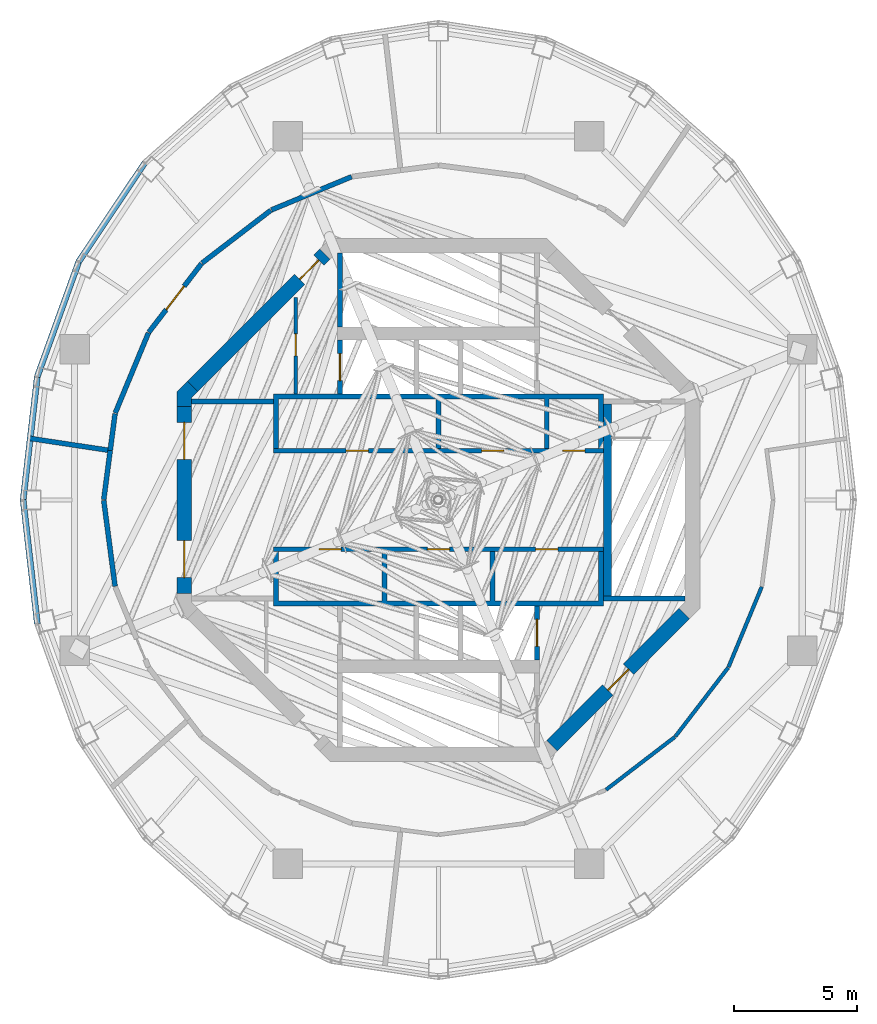
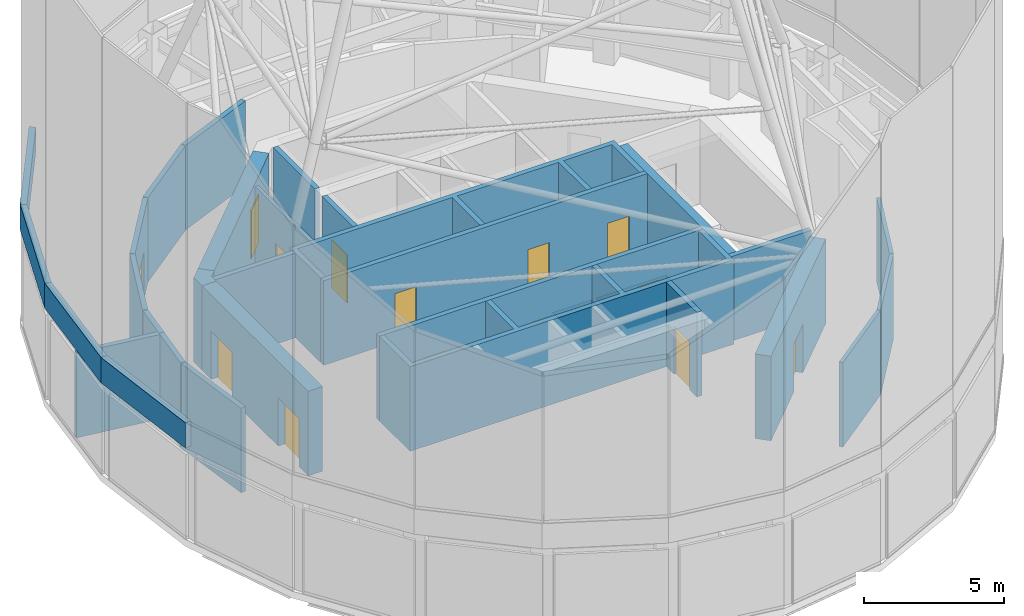
# One storey, part 22 of 25: 30 walls, 14 doors, 14 openings.
"""IFC4 building model written with IfcOpenShell, lengths in metres."""

from ifc_helpers import new_model, si_unit, direction, frame, frame_2d, origin, place, context, subcontext, project, spatial, polyline, rectangle, outline, extrude, material, layer, layer_set, type_object, element, fill, save


model = new_model("IFC4")

# Units and contexts
model_context = context("Model", 3, precision=1e-05, world=origin(), true_north=direction((0.0, 1.0)))
body_context = subcontext(model_context, "Body", "Model", "MODEL_VIEW")
ifc_project = project(units=[si_unit("LENGTHUNIT", "METRE"), si_unit("AREAUNIT", "SQUARE_METRE"), si_unit("VOLUMEUNIT", "CUBIC_METRE"), si_unit("PLANEANGLEUNIT", "RADIAN"), si_unit("MASSUNIT", "GRAM", prefix="KILO")], contexts=[model_context])

# Site, building, storey
site_placement = place(None, origin())
site = spatial("IfcSite", under=ifc_project, at=site_placement, CompositionType="ELEMENT")
building_placement = place(site_placement, origin())
building = spatial("IfcBuilding", under=site, at=building_placement, Name="Nagisa Residences", CompositionType="ELEMENT")
storey_placement = place(building_placement, frame((0.0, 0.0, 340.89990234375)))
storey = spatial("IfcBuildingStorey", under=building, at=storey_placement, Name="L84", CompositionType="ELEMENT", Elevation=340.89990234375)

# Wall, opening, door
ifc_material_1 = material(Name="Gypsum board on steel studs", Category="steel")
ifc_layer_1 = layer(ifc_material_1, 0.14990234375)
ifc_layer_set_1 = layer_set([ifc_layer_1], Name="Core partition 150")
wall_type_1 = type_object("IfcWallType", Name="Core partition 150", PredefinedType="PARTITIONING", material=ifc_layer_set_1)
wall_1_placement = place(storey_placement, frame((-5.800048828125, 4.300048828125, 0.0), z_axis=(0.0, 0.0, 1.0), x_axis=(0.0, 1.0, 0.0)))
wall_1 = element("IfcWall", 1, at=wall_1_placement, inside=storey, type_object=wall_type_1, Name="wall:L84:NWp", PredefinedType="PARTITIONING", context=body_context, shape_type="SweptSolid", body=[
    extrude(rectangle(XDim=3.927001953125, YDim=0.14990234375, at=frame_2d((1.96337890625, 0.0))), origin(), (0.0, 0.0, 1.0), 3.7001953125),
])
opening_1_placement = place(wall_1_placement, frame((1.551025390625, 0.0, 0.0)))
opening_1 = element("IfcOpeningElement", 2, at=opening_1_placement, cuts=wall_1, Name="Opening L84-C07", PredefinedType="OPENING", context=body_context, shape_type="SweptSolid", body=[
    extrude(rectangle(XDim=0.89990234375, YDim=2.10009765625, at=frame_2d((0.449951171875, 1.050048828125))), frame((0.0, 0.0849609375, 0.0), z_axis=(0.0, -1.0, 0.0), x_axis=(1.0, 0.0, 0.0)), (0.0, 0.0, 1.0), 0.169921875),
])
ifc_material_2 = material(Name="Steel fire door", Category="steel")
door_type_1 = type_object("IfcDoorType", Name="Fire door EI30 900x2100 single swing", OperationType="NOTDEFINED", PredefinedType="DOOR", material=ifc_material_2)
door_1_placement = place(opening_1_placement, origin())
door_1 = element("IfcDoor", 3, at=door_1_placement, inside=storey, type_object=door_type_1, Name="Hose reel store door L84", OperationType="SINGLE_SWING_LEFT", OverallHeight=2.10009765625, OverallWidth=0.89990234375, PredefinedType="DOOR", context=body_context, shape_type="SweptSolid", body=[
    extrude(rectangle(XDim=0.89990234375, YDim=2.10009765625, at=frame_2d((0.449951171875, 1.050048828125))), frame((0.0, 0.02490234375, 0.0), z_axis=(0.0, -1.0, 0.0), x_axis=(1.0, 0.0, 0.0)), (0.0, 0.0, 1.0), 0.050048828125),
])
fill(opening_1, door_1)

# Wall
ifc_material_3 = material(Name="Gypsum board on steel studs", Category="steel")
ifc_layer_2 = layer(ifc_material_3, 0.199951171875)
ifc_layer_set_2 = layer_set([ifc_layer_2], Name="Core partition 200")
wall_type_2 = type_object("IfcWallType", Name="Core partition 200", PredefinedType="PARTITIONING", material=ifc_layer_set_2)
wall_2_placement = place(storey_placement, frame((-10.024658203125, 4.0, 0.0), z_axis=(0.0, 0.0, 1.0), x_axis=(1.0, 0.0, 0.0)))
element("IfcWall", 4, at=wall_2_placement, inside=storey, type_object=wall_type_2, Name="wall:L84:PNW", PredefinedType="PARTITIONING", context=body_context, shape_type="SweptSolid", body=[
    extrude(rectangle(XDim=3.32470703125, YDim=0.199951171875, at=frame_2d((1.662353515625, 0.0))), origin(), (0.0, 0.0, 1.0), 3.7001953125),
])

# Wall, opening, door
ifc_material_4 = material(Name="Concrete C60", Category="concrete")
ifc_layer_3 = layer(ifc_material_4, 0.60009765625)
ifc_layer_set_3 = layer_set([ifc_layer_3], Name="Core shear wall 600")
wall_type_3 = type_object("IfcWallType", Name="Core shear wall 600", PredefinedType="SHEAR", material=ifc_layer_set_3)
wall_3_placement = place(storey_placement, frame((-4.613037109375, 9.98828125, 0.0), z_axis=(0.0, 0.0, 1.0), x_axis=(-0.707106781187, -0.707106781187, 0.0)))
wall_3 = element("IfcWall", 5, at=wall_3_placement, inside=storey, type_object=wall_type_3, Name="wall:L84:core:flat3", PredefinedType="SHEAR", context=body_context, shape_type="SweptSolid", body=[
    extrude(rectangle(XDim=7.601806640625, YDim=0.60009765625, at=frame_2d((3.80078125, 0.0))), origin(), (0.0, 0.0, 1.0), 3.7001953125),
])
opening_2_placement = place(wall_3_placement, frame((0.350830078125, 0.0, 0.0)))
opening_2 = element("IfcOpeningElement", 6, at=opening_2_placement, cuts=wall_3, Name="Opening L84-C20", PredefinedType="OPENING", context=body_context, shape_type="SweptSolid", body=[
    extrude(rectangle(XDim=1.10009765625, YDim=2.10009765625, at=frame_2d((0.550048828125, 1.050048828125))), frame((0.0, 0.31005859375, 0.0), z_axis=(0.0, -1.0, 0.0), x_axis=(1.0, 0.0, 0.0)), (0.0, 0.0, 1.0), 0.6201171875),
])
ifc_material_5 = material(Name="Steel fire door", Category="steel")
door_type_2 = type_object("IfcDoorType", Name="Fire door EI60 1100x2100 single swing", OperationType="NOTDEFINED", PredefinedType="DOOR", material=ifc_material_5)
door_2_placement = place(opening_2_placement, origin())
door_2 = element("IfcDoor", 7, at=door_2_placement, inside=storey, type_object=door_type_2, Name="Service lobby door L84", OperationType="SINGLE_SWING_LEFT", OverallHeight=2.10009765625, OverallWidth=1.10009765625, PredefinedType="DOOR", context=body_context, shape_type="SweptSolid", body=[
    extrude(rectangle(XDim=1.10009765625, YDim=2.10009765625, at=frame_2d((0.550048828125, 1.050048828125))), frame((0.0, 0.02490234375, 0.0), z_axis=(0.0, -1.0, 0.0), x_axis=(1.0, 0.0, 0.0)), (0.0, 0.0, 1.0), 0.050048828125),
])
fill(opening_2, door_2)

# Wall, openings, doors
wall_4_placement = place(storey_placement, frame((-10.32470703125, 3.80078125, 0.0), z_axis=(0.0, 0.0, 1.0), x_axis=(0.0, -1.0, 0.0)))
wall_4 = element("IfcWall", 8, at=wall_4_placement, inside=storey, type_object=wall_type_3, Name="wall:L84:core:flat4", PredefinedType="SHEAR", context=body_context, shape_type="SweptSolid", body=[
    extrude(rectangle(XDim=7.6015625, YDim=0.60009765625, at=frame_2d((3.80078125, 0.0))), origin(), (0.0, 0.0, 1.0), 3.7001953125),
])
opening_3_placement = place(wall_4_placement, frame((0.65087890625, 0.0, 0.0)))
opening_3 = element("IfcOpeningElement", 9, at=opening_3_placement, cuts=wall_4, Name="Opening L84-C18", PredefinedType="OPENING", context=body_context, shape_type="SweptSolid", body=[
    extrude(rectangle(XDim=1.5, YDim=2.10009765625, at=frame_2d((0.75, 1.050048828125))), frame((0.0, 0.31005859375, 0.0), z_axis=(0.0, -1.0, 0.0), x_axis=(1.0, 0.0, 0.0)), (0.0, 0.0, 1.0), 0.6201171875),
])
opening_4_placement = place(wall_4_placement, frame((5.450927734375, 0.0, 0.0)))
opening_4 = element("IfcOpeningElement", 10, at=opening_4_placement, cuts=wall_4, Name="Opening L84-C19", PredefinedType="OPENING", context=body_context, shape_type="SweptSolid", body=[
    extrude(rectangle(XDim=1.5, YDim=2.10009765625, at=frame_2d((0.75, 1.050048828125))), frame((0.0, 0.31005859375, 0.0), z_axis=(0.0, -1.0, 0.0), x_axis=(1.0, 0.0, 0.0)), (0.0, 0.0, 1.0), 0.6201171875),
])
ifc_material_6 = material(Name="Steel fire door", Category="steel")
door_type_3 = type_object("IfcDoorType", Name="Fire door EI60 1500x2100 double door single swing", OperationType="DOUBLE_DOOR_SINGLE_SWING", PredefinedType="DOOR", material=ifc_material_6)
door_3_placement = place(opening_3_placement, origin())
door_3 = element("IfcDoor", 11, at=door_3_placement, inside=storey, type_object=door_type_3, Name="Lift lobby door L84 1", OperationType="DOUBLE_DOOR_SINGLE_SWING", OverallHeight=2.10009765625, OverallWidth=1.5, PredefinedType="DOOR", context=body_context, shape_type="SweptSolid", body=[
    extrude(rectangle(XDim=1.5, YDim=2.10009765625, at=frame_2d((0.75, 1.050048828125))), frame((0.0, 0.02490234375, 0.0), z_axis=(0.0, -1.0, 0.0), x_axis=(1.0, 0.0, 0.0)), (0.0, 0.0, 1.0), 0.050048828125),
])
fill(opening_3, door_3)
door_4_placement = place(opening_4_placement, origin())
door_4 = element("IfcDoor", 12, at=door_4_placement, inside=storey, type_object=door_type_3, Name="Lift lobby door L84 2", OperationType="DOUBLE_DOOR_SINGLE_SWING", OverallHeight=2.10009765625, OverallWidth=1.5, PredefinedType="DOOR", context=body_context, shape_type="SweptSolid", body=[
    extrude(rectangle(XDim=1.5, YDim=2.10009765625, at=frame_2d((0.75, 1.050048828125))), frame((0.0, 0.02490234375, 0.0), z_axis=(0.0, -1.0, 0.0), x_axis=(1.0, 0.0, 0.0)), (0.0, 0.0, 1.0), 0.050048828125),
])
fill(opening_4, door_4)

# Wall, opening, door
wall_5_placement = place(storey_placement, frame((4.613037109375, -9.98828125, 0.0), z_axis=(0.0, 0.0, 1.0), x_axis=(0.707106781187, 0.707106781187, 0.0)))
wall_5 = element("IfcWall", 13, at=wall_5_placement, inside=storey, type_object=wall_type_3, Name="wall:L84:core:flat7", PredefinedType="SHEAR", context=body_context, shape_type="SweptSolid", body=[
    extrude(rectangle(XDim=7.601806640625, YDim=0.60009765625, at=frame_2d((3.80078125, 0.0))), origin(), (0.0, 0.0, 1.0), 3.7001953125),
])
opening_5_placement = place(wall_5_placement, frame((3.200927734375, 0.0, 0.0)))
opening_5 = element("IfcOpeningElement", 14, at=opening_5_placement, cuts=wall_5, Name="Opening L84-C17", PredefinedType="OPENING", context=body_context, shape_type="SweptSolid", body=[
    extrude(rectangle(XDim=1.199951171875, YDim=2.10009765625, at=frame_2d((0.60009765625, 1.050048828125))), frame((0.0, 0.31005859375, 0.0), z_axis=(0.0, -1.0, 0.0), x_axis=(1.0, 0.0, 0.0)), (0.0, 0.0, 1.0), 0.6201171875),
])
ifc_material_7 = material(Name="Steel fire door", Category="steel")
door_type_4 = type_object("IfcDoorType", Name="Fire door EI60 1200x2100 single swing", OperationType="NOTDEFINED", PredefinedType="DOOR", material=ifc_material_7)
door_5_placement = place(opening_5_placement, origin())
door_5 = element("IfcDoor", 15, at=door_5_placement, inside=storey, type_object=door_type_4, Name="Firefighting lobby 2 door L84", OperationType="SINGLE_SWING_LEFT", OverallHeight=2.10009765625, OverallWidth=1.199951171875, PredefinedType="DOOR", context=body_context, shape_type="SweptSolid", body=[
    extrude(rectangle(XDim=1.199951171875, YDim=2.10009765625, at=frame_2d((0.60009765625, 1.050048828125))), frame((0.0, 0.02490234375, 0.0), z_axis=(0.0, -1.0, 0.0), x_axis=(1.0, 0.0, 0.0)), (0.0, 0.0, 1.0), 0.050048828125),
])
fill(opening_5, door_5)

# Wall
wall_6_placement = place(storey_placement, origin())
element("IfcWall", 16, at=wall_6_placement, inside=storey, type_object=wall_type_3, Name="wall:L84:core:pier3", PredefinedType="SHEAR", context=body_context, shape_type="SweptSolid", body=[
    extrude(outline(polyline([(-10.200439453125, 4.8251953125), (-9.776123046875, 4.40087890625), (-10.024658203125, 4.15234375), (-10.024658203125, 3.80078125), (-10.62451171875, 3.80078125), (-10.62451171875, 4.40087890625), (-10.200439453125, 4.8251953125)])), origin(), (0.0, 0.0, 1.0), 3.7001953125),
])

# Wall, opening, door
ifc_material_8 = material(Name="Concrete C60", Category="concrete")
ifc_layer_4 = layer(ifc_material_8, 0.199951171875)
ifc_layer_set_4 = layer_set([ifc_layer_4], Name="Lift shaft wall 200")
wall_type_4 = type_object("IfcWallType", Name="Lift shaft wall 200", PredefinedType="SOLIDWALL", material=ifc_layer_set_4)
wall_7_placement = place(storey_placement, frame((-4.0, 4.300048828125, 0.0), z_axis=(0.0, 0.0, 1.0), x_axis=(0.0, 1.0, 0.0)))
wall_7 = element("IfcWall", 17, at=wall_7_placement, inside=storey, type_object=wall_type_4, Name="wall:L84:Nb4", PredefinedType="SOLIDWALL", context=body_context, shape_type="SweptSolid", body=[
    extrude(rectangle(XDim=2.199951171875, YDim=0.199951171875, at=frame_2d((1.10009765625, 0.0))), origin(), (0.0, 0.0, 1.0), 3.7001953125),
])
opening_6_placement = place(wall_7_placement, frame((0.550048828125, 0.0, 0.0)))
opening_6 = element("IfcOpeningElement", 18, at=opening_6_placement, cuts=wall_7, Name="Opening L84-C03", PredefinedType="OPENING", context=body_context, shape_type="SweptSolid", body=[
    extrude(rectangle(XDim=1.10009765625, YDim=2.10009765625, at=frame_2d((0.550048828125, 1.050048828125))), frame((0.0, 0.10986328125, 0.0), z_axis=(0.0, -1.0, 0.0), x_axis=(1.0, 0.0, 0.0)), (0.0, 0.0, 1.0), 0.219970703125),
])
ifc_material_9 = material(Name="Stainless steel", Category="steel")
door_type_5 = type_object("IfcDoorType", Name="Lift landing door 1100x2100", OperationType="DOUBLE_DOOR_SLIDING", PredefinedType="DOOR", material=ifc_material_9)
door_6_placement = place(opening_6_placement, origin())
door_6 = element("IfcDoor", 19, at=door_6_placement, inside=storey, type_object=door_type_5, Name="Landing door SV L84", OperationType="DOUBLE_DOOR_SLIDING", OverallHeight=2.10009765625, OverallWidth=1.10009765625, PredefinedType="DOOR", context=body_context, shape_type="SweptSolid", body=[
    extrude(rectangle(XDim=1.10009765625, YDim=2.10009765625, at=frame_2d((0.550048828125, 1.050048828125))), frame((0.0, 0.02490234375, 0.0), z_axis=(0.0, -1.0, 0.0), x_axis=(1.0, 0.0, 0.0)), (0.0, 0.0, 1.0), 0.050048828125),
])
fill(opening_6, door_6)

# Wall, openings, doors
wall_8_placement = place(storey_placement, frame((-6.699951171875, 2.0, 0.0), z_axis=(0.0, 0.0, 1.0), x_axis=(1.0, 0.0, 0.0)))
wall_8 = element("IfcWall", 20, at=wall_8_placement, inside=storey, type_object=wall_type_4, Name="wall:L84:Nfront", PredefinedType="SOLIDWALL", context=body_context, shape_type="SweptSolid", body=[
    extrude(rectangle(XDim=13.39990234375, YDim=0.199951171875, at=frame_2d((6.699951171875, 0.0))), origin(), (0.0, 0.0, 1.0), 3.7001953125),
])
opening_7_placement = place(wall_8_placement, frame((2.949951171875, 0.0, 0.0)))
opening_7 = element("IfcOpeningElement", 21, at=opening_7_placement, cuts=wall_8, Name="Opening L84-C10", PredefinedType="OPENING", context=body_context, shape_type="SweptSolid", body=[
    extrude(rectangle(XDim=0.89990234375, YDim=2.10009765625, at=frame_2d((0.449951171875, 1.050048828125))), frame((0.0, 0.10986328125, 0.0), z_axis=(0.0, -1.0, 0.0), x_axis=(1.0, 0.0, 0.0)), (0.0, 0.0, 1.0), 0.219970703125),
])
opening_8_placement = place(wall_8_placement, frame((8.449951171875, 0.0, 0.0)))
opening_8 = element("IfcOpeningElement", 22, at=opening_8_placement, cuts=wall_8, Name="Opening L84-C11", PredefinedType="OPENING", context=body_context, shape_type="SweptSolid", body=[
    extrude(rectangle(XDim=0.89990234375, YDim=2.10009765625, at=frame_2d((0.449951171875, 1.050048828125))), frame((0.0, 0.10986328125, 0.0), z_axis=(0.0, -1.0, 0.0), x_axis=(1.0, 0.0, 0.0)), (0.0, 0.0, 1.0), 0.219970703125),
])
opening_9_placement = place(wall_8_placement, frame((11.75, 0.0, 0.0)))
opening_9 = element("IfcOpeningElement", 23, at=opening_9_placement, cuts=wall_8, Name="Opening L84-C12", PredefinedType="OPENING", context=body_context, shape_type="SweptSolid", body=[
    extrude(rectangle(XDim=0.89990234375, YDim=2.10009765625, at=frame_2d((0.449951171875, 1.050048828125))), frame((0.0, 0.10986328125, 0.0), z_axis=(0.0, -1.0, 0.0), x_axis=(1.0, 0.0, 0.0)), (0.0, 0.0, 1.0), 0.219970703125),
])
door_7_placement = place(opening_7_placement, origin())
door_7 = element("IfcDoor", 24, at=door_7_placement, inside=storey, type_object=door_type_1, Name="Pump store door L84", OperationType="SINGLE_SWING_RIGHT", OverallHeight=2.10009765625, OverallWidth=0.89990234375, PredefinedType="DOOR", context=body_context, shape_type="SweptSolid", body=[
    extrude(rectangle(XDim=0.89990234375, YDim=2.10009765625, at=frame_2d((0.449951171875, 1.050048828125))), frame((0.0, 0.02490234375, 0.0), z_axis=(0.0, -1.0, 0.0), x_axis=(1.0, 0.0, 0.0)), (0.0, 0.0, 1.0), 0.050048828125),
])
fill(opening_7, door_7)
door_8_placement = place(opening_8_placement, origin())
door_8 = element("IfcDoor", 25, at=door_8_placement, inside=storey, type_object=door_type_1, Name="Battery room door L84", OperationType="SINGLE_SWING_RIGHT", OverallHeight=2.10009765625, OverallWidth=0.89990234375, PredefinedType="DOOR", context=body_context, shape_type="SweptSolid", body=[
    extrude(rectangle(XDim=0.89990234375, YDim=2.10009765625, at=frame_2d((0.449951171875, 1.050048828125))), frame((0.0, 0.02490234375, 0.0), z_axis=(0.0, -1.0, 0.0), x_axis=(1.0, 0.0, 0.0)), (0.0, 0.0, 1.0), 0.050048828125),
])
fill(opening_8, door_8)
door_9_placement = place(opening_9_placement, origin())
door_9 = element("IfcDoor", 26, at=door_9_placement, inside=storey, type_object=door_type_1, Name="Pump store door L84", OperationType="SINGLE_SWING_LEFT", OverallHeight=2.10009765625, OverallWidth=0.89990234375, PredefinedType="DOOR", context=body_context, shape_type="SweptSolid", body=[
    extrude(rectangle(XDim=0.89990234375, YDim=2.10009765625, at=frame_2d((0.449951171875, 1.050048828125))), frame((0.0, 0.02490234375, 0.0), z_axis=(0.0, -1.0, 0.0), x_axis=(1.0, 0.0, 0.0)), (0.0, 0.0, 1.0), 0.050048828125),
])
fill(opening_9, door_9)

# Wall, opening, door
wall_9_placement = place(storey_placement, frame((4.0, -6.5, 0.0), z_axis=(0.0, 0.0, 1.0), x_axis=(0.0, 1.0, 0.0)))
wall_9 = element("IfcWall", 27, at=wall_9_placement, inside=storey, type_object=wall_type_4, Name="wall:L84:Sb3", PredefinedType="SOLIDWALL", context=body_context, shape_type="SweptSolid", body=[
    extrude(rectangle(XDim=2.199951171875, YDim=0.199951171875, at=frame_2d((1.10009765625, 0.0))), origin(), (0.0, 0.0, 1.0), 3.7001953125),
])
opening_10_placement = place(wall_9_placement, frame((0.550048828125, 0.0, 0.0)))
opening_10 = element("IfcOpeningElement", 28, at=opening_10_placement, cuts=wall_9, Name="Opening L84-C02", PredefinedType="OPENING", context=body_context, shape_type="SweptSolid", body=[
    extrude(rectangle(XDim=1.10009765625, YDim=2.10009765625, at=frame_2d((0.550048828125, 1.050048828125))), frame((0.0, 0.10986328125, 0.0), z_axis=(0.0, -1.0, 0.0), x_axis=(1.0, 0.0, 0.0)), (0.0, 0.0, 1.0), 0.219970703125),
])
door_10_placement = place(opening_10_placement, origin())
door_10 = element("IfcDoor", 29, at=door_10_placement, inside=storey, type_object=door_type_5, Name="Landing door FL2 L84", OperationType="DOUBLE_DOOR_SLIDING", OverallHeight=2.10009765625, OverallWidth=1.10009765625, PredefinedType="DOOR", context=body_context, shape_type="SweptSolid", body=[
    extrude(rectangle(XDim=1.10009765625, YDim=2.10009765625, at=frame_2d((0.550048828125, 1.050048828125))), frame((0.0, 0.02490234375, 0.0), z_axis=(0.0, -1.0, 0.0), x_axis=(1.0, 0.0, 0.0)), (0.0, 0.0, 1.0), 0.050048828125),
])
fill(opening_10, door_10)

# Wall, openings, doors
wall_10_placement = place(storey_placement, frame((-6.699951171875, -2.0, 0.0), z_axis=(0.0, 0.0, 1.0), x_axis=(1.0, 0.0, 0.0)))
wall_10 = element("IfcWall", 30, at=wall_10_placement, inside=storey, type_object=wall_type_4, Name="wall:L84:Sfront", PredefinedType="SOLIDWALL", context=body_context, shape_type="SweptSolid", body=[
    extrude(rectangle(XDim=13.39990234375, YDim=0.199951171875, at=frame_2d((6.699951171875, 0.0))), origin(), (0.0, 0.0, 1.0), 3.7001953125),
])
opening_11_placement = place(wall_10_placement, frame((1.85009765625, 0.0, 0.0)))
opening_11 = element("IfcOpeningElement", 31, at=opening_11_placement, cuts=wall_10, Name="Opening L84-C13", PredefinedType="OPENING", context=body_context, shape_type="SweptSolid", body=[
    extrude(rectangle(XDim=0.89990234375, YDim=2.10009765625, at=frame_2d((0.449951171875, 1.050048828125))), frame((0.0, 0.10986328125, 0.0), z_axis=(0.0, -1.0, 0.0), x_axis=(1.0, 0.0, 0.0)), (0.0, 0.0, 1.0), 0.219970703125),
])
opening_12_placement = place(wall_10_placement, frame((6.25, 0.0, 0.0)))
opening_12 = element("IfcOpeningElement", 32, at=opening_12_placement, cuts=wall_10, Name="Opening L84-C14", PredefinedType="OPENING", context=body_context, shape_type="SweptSolid", body=[
    extrude(rectangle(XDim=0.89990234375, YDim=2.10009765625, at=frame_2d((0.449951171875, 1.050048828125))), frame((0.0, 0.10986328125, 0.0), z_axis=(0.0, -1.0, 0.0), x_axis=(1.0, 0.0, 0.0)), (0.0, 0.0, 1.0), 0.219970703125),
])
opening_13_placement = place(wall_10_placement, frame((10.64990234375, 0.0, 0.0)))
opening_13 = element("IfcOpeningElement", 33, at=opening_13_placement, cuts=wall_10, Name="Opening L84-C15", PredefinedType="OPENING", context=body_context, shape_type="SweptSolid", body=[
    extrude(rectangle(XDim=0.89990234375, YDim=2.10009765625, at=frame_2d((0.449951171875, 1.050048828125))), frame((0.0, 0.10986328125, 0.0), z_axis=(0.0, -1.0, 0.0), x_axis=(1.0, 0.0, 0.0)), (0.0, 0.0, 1.0), 0.219970703125),
])
door_11_placement = place(opening_11_placement, frame((0.89990234375, 0.0, 0.0), x_axis=(-1.0, 0.0, 0.0)))
door_11 = element("IfcDoor", 34, at=door_11_placement, inside=storey, type_object=door_type_1, Name="Battery room door L84", OperationType="SINGLE_SWING_LEFT", OverallHeight=2.10009765625, OverallWidth=0.89990234375, PredefinedType="DOOR", context=body_context, shape_type="SweptSolid", body=[
    extrude(rectangle(XDim=0.89990234375, YDim=2.10009765625, at=frame_2d((0.449951171875, 1.050048828125))), frame((0.0, 0.02490234375, 0.0), z_axis=(0.0, -1.0, 0.0), x_axis=(1.0, 0.0, 0.0)), (0.0, 0.0, 1.0), 0.050048828125),
])
fill(opening_11, door_11)
door_12_placement = place(opening_12_placement, frame((0.89990234375, 0.0, 0.0), x_axis=(-1.0, 0.0, 0.0)))
door_12 = element("IfcDoor", 35, at=door_12_placement, inside=storey, type_object=door_type_1, Name="Pump store door L84", OperationType="SINGLE_SWING_LEFT", OverallHeight=2.10009765625, OverallWidth=0.89990234375, PredefinedType="DOOR", context=body_context, shape_type="SweptSolid", body=[
    extrude(rectangle(XDim=0.89990234375, YDim=2.10009765625, at=frame_2d((0.449951171875, 1.050048828125))), frame((0.0, 0.02490234375, 0.0), z_axis=(0.0, -1.0, 0.0), x_axis=(1.0, 0.0, 0.0)), (0.0, 0.0, 1.0), 0.050048828125),
])
fill(opening_12, door_12)
door_13_placement = place(opening_13_placement, frame((0.89990234375, 0.0, 0.0), x_axis=(-1.0, 0.0, 0.0)))
door_13 = element("IfcDoor", 36, at=door_13_placement, inside=storey, type_object=door_type_1, Name="Battery room door L84", OperationType="SINGLE_SWING_RIGHT", OverallHeight=2.10009765625, OverallWidth=0.89990234375, PredefinedType="DOOR", context=body_context, shape_type="SweptSolid", body=[
    extrude(rectangle(XDim=0.89990234375, YDim=2.10009765625, at=frame_2d((0.449951171875, 1.050048828125))), frame((0.0, 0.02490234375, 0.0), z_axis=(0.0, -1.0, 0.0), x_axis=(1.0, 0.0, 0.0)), (0.0, 0.0, 1.0), 0.050048828125),
])
fill(opening_13, door_13)

# Walls
wall_11_placement = place(storey_placement, origin())
element("IfcWall", 37, at=wall_11_placement, inside=storey, type_object=wall_type_4, Name="wall:L84:Sback", PredefinedType="SOLIDWALL", context=body_context, shape_type="SweptSolid", body=[
    extrude(outline(polyline([(-6.699951171875, -2.10009765625), (-6.5, -2.10009765625), (-6.5, -4.10009765625), (-2.300048828125, -4.10009765625), (-2.300048828125, -2.10009765625), (-2.10009765625, -2.10009765625), (-2.10009765625, -4.10009765625), (2.10009765625, -4.10009765625), (2.10009765625, -2.10009765625), (2.300048828125, -2.10009765625), (2.300048828125, -4.10009765625), (6.5, -4.10009765625), (6.5, -2.10009765625), (6.699951171875, -2.10009765625), (6.699951171875, -4.300048828125), (-6.699951171875, -4.300048828125), (-6.699951171875, -2.10009765625)])), origin(), (0.0, 0.0, 1.0), 3.7001953125),
])
wall_12_placement = place(storey_placement, origin())
element("IfcWall", 38, at=wall_12_placement, inside=storey, type_object=wall_type_4, Name="wall:L84:Nback", PredefinedType="SOLIDWALL", context=body_context, shape_type="SweptSolid", body=[
    extrude(outline(polyline([(-6.699951171875, 4.300048828125), (6.699951171875, 4.300048828125), (6.699951171875, 2.10009765625), (6.5, 2.10009765625), (6.5, 4.10009765625), (4.5, 4.10009765625), (4.5, 2.10009765625), (4.300048828125, 2.10009765625), (4.300048828125, 4.10009765625), (0.10009765625, 4.10009765625), (0.10009765625, 2.10009765625), (-0.10009765625, 2.10009765625), (-0.10009765625, 4.10009765625), (-6.5, 4.10009765625), (-6.5, 2.10009765625), (-6.699951171875, 2.10009765625), (-6.699951171875, 4.300048828125)])), origin(), (0.0, 0.0, 1.0), 3.7001953125),
])
ifc_material_10 = material(Name="Precast concrete C40/50", Category="concrete")
ifc_layer_5 = layer(ifc_material_10, 0.25)
ifc_layer_set_5 = layer_set([ifc_layer_5], Name="PARAPET 250")
wall_type_5 = type_object("IfcWallType", Name="PARAPET 250", PredefinedType="PARAPET", material=ifc_layer_set_5)
wall_13_placement = place(storey_placement, frame((-11.9169921875, 13.718994140625, 4.0), z_axis=(0.0, 0.0, 1.0), x_axis=(-0.55602135043, -0.831168008207, 0.0)))
element("IfcWall", 39, at=wall_13_placement, inside=storey, type_object=wall_type_5, Name="parapet:L84:09", PredefinedType="PARAPET", context=body_context, shape_type="SweptSolid", body=[
    extrude(rectangle(XDim=4.85888671875, YDim=0.25, at=frame_2d((2.429443359375, 0.0))), origin(), (0.0, 0.0, 1.0), 1.10009765625),
])
wall_14_placement = place(storey_placement, frame((-14.60498046875, 9.70751953125, 4.0), z_axis=(0.0, 0.0, 1.0), x_axis=(-0.339625267064, -0.940560831617, 0.0)))
element("IfcWall", 40, at=wall_14_placement, inside=storey, type_object=wall_type_5, Name="parapet:L84:10", PredefinedType="PARAPET", context=body_context, shape_type="SweptSolid", body=[
    extrude(rectangle(XDim=5.000244140625, YDim=0.25, at=frame_2d((2.5, 0.0))), origin(), (0.0, 0.0, 1.0), 1.10009765625),
])
for number, where, z_axis, x_axis, name in (
    (41, (-16.296630859375, 5.03271484375, 4.0), (0.0, 0.0, 1.0), (-0.113996578441, -0.993481142299, 0.0), "parapet:L84:11"),
    (42, (-16.875732421875, 0.01416015625, 4.0), (0.0, 0.0, 1.0), (0.113996578441, -0.993481142299, 0.0), "parapet:L84:12"),
):
    element("IfcWall", number, at=place(storey_placement, frame(where, z_axis=z_axis, x_axis=x_axis)), inside=storey, type_object=wall_type_5, Name=name, PredefinedType="PARAPET", context=body_context, shape_type="SweptSolid", body=[
        extrude(rectangle(XDim=5.080078125, YDim=0.25, at=frame_2d((2.5400390625, 0.0))), origin(), (0.0, 0.0, 1.0), 1.10009765625),
    ])
ifc_material_11 = material(Name="Gypsum board on steel studs", Category="steel")
ifc_layer_6 = layer(ifc_material_11, 0.199951171875)
ifc_layer_set_6 = layer_set([ifc_layer_6], Name="Plant room wall EI120 200")
wall_type_6 = type_object("IfcWallType", Name="Plant room wall EI120 200", PredefinedType="PARTITIONING", material=ifc_layer_set_6)
wall_15_placement = place(storey_placement, frame((-13.597900390625, 0.01513671875, 0.0), z_axis=(0.0, 0.0, 1.0), x_axis=(0.130526685544, 0.991444796426, 0.0)))
element("IfcWall", 43, at=wall_15_placement, inside=storey, type_object=wall_type_6, Name="wall:L84:am009", PredefinedType="PARTITIONING", context=body_context, shape_type="SweptSolid", body=[
    extrude(rectangle(XDim=2.0126953125, YDim=0.199951171875, at=frame_2d((1.00634765625, 0.0))), origin(), (0.0, 0.0, 1.0), 3.7001953125),
])
wall_16_placement = place(storey_placement, frame((-13.43408203125, 2.025390625, 0.0), z_axis=(0.0, 0.0, 1.0), x_axis=(-0.988817905908, 0.149127961685, 0.0)))
element("IfcWall", 44, at=wall_16_placement, inside=storey, type_object=wall_type_6, Name="wall:L84:am010", PredefinedType="PARTITIONING", context=body_context, shape_type="SweptSolid", body=[
    extrude(rectangle(XDim=3.213623046875, YDim=0.199951171875, at=frame_2d((1.60693359375, 0.0))), origin(), (0.0, 0.0, 1.0), 3.7001953125),
])
wall_17_placement = place(storey_placement, frame((-13.335205078125, 2.010498046875, 0.0), z_axis=(0.0, 0.0, 1.0), x_axis=(0.130391662061, 0.99146256332, 0.0)))
element("IfcWall", 45, at=wall_17_placement, inside=storey, type_object=wall_type_6, Name="wall:L84:am011", PredefinedType="PARTITIONING", context=body_context, shape_type="SweptSolid", body=[
    extrude(rectangle(XDim=1.50732421875, YDim=0.199951171875, at=frame_2d((0.753662109375, 0.0))), origin(), (0.0, 0.0, 1.0), 3.7001953125),
])
wall_18_placement = place(storey_placement, frame((-13.138671875, -3.5048828125, 0.0), z_axis=(0.0, 0.0, 1.0), x_axis=(-0.130468866457, 0.991452406768, 0.0)))
element("IfcWall", 46, at=wall_18_placement, inside=storey, type_object=wall_type_6, Name="wall:L84:am012", PredefinedType="PARTITIONING", context=body_context, shape_type="SweptSolid", body=[
    extrude(rectangle(XDim=3.519775390625, YDim=0.199951171875, at=frame_2d((1.759765625, 0.0))), origin(), (0.0, 0.0, 1.0), 3.7001953125),
])
wall_19_placement = place(storey_placement, frame((-13.130859375, 3.533935546875, 0.0), z_axis=(0.0, 0.0, 1.0), x_axis=(0.382723413813, 0.92386297064, 0.0)))
element("IfcWall", 47, at=wall_19_placement, inside=storey, type_object=wall_type_6, Name="wall:L84:am013", PredefinedType="PARTITIONING", context=body_context, shape_type="SweptSolid", body=[
    extrude(rectangle(XDim=3.52001953125, YDim=0.199951171875, at=frame_2d((1.760009765625, 0.0))), origin(), (0.0, 0.0, 1.0), 3.7001953125),
])

# Wall, opening, door
wall_20_placement = place(storey_placement, frame((-11.7685546875, 6.81201171875, 0.0), z_axis=(0.0, 0.0, 1.0), x_axis=(0.608697977542, 0.793402024283, 0.0)))
wall_20 = element("IfcWall", 48, at=wall_20_placement, inside=storey, type_object=wall_type_6, Name="wall:L84:am015", PredefinedType="PARTITIONING", context=body_context, shape_type="SweptSolid", body=[
    extrude(rectangle(XDim=3.52001953125, YDim=0.199951171875, at=frame_2d((1.760009765625, 0.0))), origin(), (0.0, 0.0, 1.0), 3.7001953125),
])
opening_14_placement = place(wall_20_placement, frame((1.159912109375, 0.0, 0.0)))
opening_14 = element("IfcOpeningElement", 49, at=opening_14_placement, cuts=wall_20, Name="Opening L84-A02", PredefinedType="OPENING", context=body_context, shape_type="SweptSolid", body=[
    extrude(rectangle(XDim=1.199951171875, YDim=2.10009765625, at=frame_2d((0.60009765625, 1.050048828125))), frame((0.0, 0.10986328125, 0.0), z_axis=(0.0, -1.0, 0.0), x_axis=(1.0, 0.0, 0.0)), (0.0, 0.0, 1.0), 0.219970703125),
])
ifc_material_12 = material(Name="Steel fire door", Category="steel")
door_type_6 = type_object("IfcDoorType", Name="Fire door EI120 1200x2100 single swing", OperationType="NOTDEFINED", PredefinedType="DOOR", material=ifc_material_12)
door_14_placement = place(opening_14_placement, frame((1.199951171875, 0.0, 0.0), x_axis=(-1.0, 0.0, 0.0)))
door_14 = element("IfcDoor", 50, at=door_14_placement, inside=storey, type_object=door_type_6, Name="Mast base plant room door", OperationType="SINGLE_SWING_LEFT", OverallHeight=2.10009765625, OverallWidth=1.199951171875, PredefinedType="DOOR", context=body_context, shape_type="SweptSolid", body=[
    extrude(rectangle(XDim=1.199951171875, YDim=2.10009765625, at=frame_2d((0.60009765625, 1.050048828125))), frame((0.0, 0.02490234375, 0.0), z_axis=(0.0, -1.0, 0.0), x_axis=(1.0, 0.0, 0.0)), (0.0, 0.0, 1.0), 0.050048828125),
])
fill(opening_14, door_14)

# Walls
for number, where, z_axis, x_axis, name in (
    (51, (-9.604736328125, 9.6259765625, 0.0), (0.0, 0.0, 1.0), (0.793402024283, 0.608697977542, 0.0), "wall:L84:am019"),
    (52, (-6.785888671875, 11.78369140625, 0.0), (0.0, 0.0, 1.0), (0.92386297064, 0.382723413813, 0.0), "wall:L84:am021"),
):
    element("IfcWall", number, at=place(storey_placement, frame(where, z_axis=z_axis, x_axis=x_axis)), inside=storey, type_object=wall_type_6, Name=name, PredefinedType="PARTITIONING", context=body_context, shape_type="SweptSolid", body=[
        extrude(rectangle(XDim=3.52001953125, YDim=0.199951171875, at=frame_2d((1.760009765625, 0.0))), origin(), (0.0, 0.0, 1.0), 3.7001953125),
    ])
ifc_material_13 = material(Name="Gypsum board on steel studs", Category="steel")
ifc_layer_7 = layer(ifc_material_13, 0.14990234375)
ifc_layer_set_7 = layer_set([ifc_layer_7], Name="Room partition EI60 150")
wall_type_7 = type_object("IfcWallType", Name="Room partition EI60 150", PredefinedType="PARTITIONING", material=ifc_layer_set_7)
for number, where, z_axis, x_axis, name in (
    (53, (9.607177734375, -9.6240234375, 0.0), (0.0, 0.0, 1.0), (-0.793372307201, -0.608736710054, 0.0), "wall:L84:am003"),
    (54, (11.770751953125, -6.809326171875, 0.0), (0.0, 0.0, 1.0), (-0.608736710054, -0.793372307201, 0.0), "wall:L84:am004"),
):
    element("IfcWall", number, at=place(storey_placement, frame(where, z_axis=z_axis, x_axis=x_axis)), inside=storey, type_object=wall_type_7, Name=name, PredefinedType="PARTITIONING", context=body_context, shape_type="SweptSolid", body=[
        extrude(rectangle(XDim=3.526611328125, YDim=0.14990234375, at=frame_2d((1.76318359375, 0.0))), origin(), (0.0, 0.0, 1.0), 3.7001953125),
    ])
wall_21_placement = place(storey_placement, frame((13.132080078125, -3.53076171875, 0.0), z_axis=(0.0, 0.0, 1.0), x_axis=(-0.382677866108, -0.923881838111, 0.0)))
element("IfcWall", 55, at=wall_21_placement, inside=storey, type_object=wall_type_7, Name="wall:L84:am005", PredefinedType="PARTITIONING", context=body_context, shape_type="SweptSolid", body=[
    extrude(rectangle(XDim=3.52685546875, YDim=0.14990234375, at=frame_2d((1.763427734375, 0.0))), origin(), (0.0, 0.0, 1.0), 3.7001953125),
])
ifc_material_14 = material(Name="Concrete C60", Category="concrete")
ifc_layer_8 = layer(ifc_material_14, 0.199951171875)
ifc_layer_set_8 = layer_set([ifc_layer_8], Name="Stair enclosure wall 200")
wall_type_8 = type_object("IfcWallType", Name="Stair enclosure wall 200", PredefinedType="SOLIDWALL", material=ifc_layer_set_8)
wall_22_placement = place(storey_placement, origin())
element("IfcWall", 56, at=wall_22_placement, inside=storey, type_object=wall_type_8, Name="wall:L84:SN_w", PredefinedType="SOLIDWALL", context=body_context, shape_type="SweptSolid", body=[
    extrude(outline(polyline([(-3.89990234375, 7.024658203125), (-4.10009765625, 7.024658203125), (-4.10009765625, 10.024658203125), (-3.89990234375, 10.024658203125), (-3.89990234375, 7.024658203125)])), origin(), (0.0, 0.0, 1.0), 3.7001953125),
])
wall_23_placement = place(storey_placement, origin())
element("IfcWall", 57, at=wall_23_placement, inside=storey, type_object=wall_type_8, Name="wall:L84:SE_w", PredefinedType="SOLIDWALL", context=body_context, shape_type="SweptSolid", body=[
    extrude(outline(polyline([(7.024658203125, -3.89990234375), (6.699951171875, -3.89990234375), (6.699951171875, 3.89990234375), (7.024658203125, 3.89990234375), (7.024658203125, -3.89990234375)])), origin(), (0.0, 0.0, 1.0), 3.7001953125),
])
wall_24_placement = place(storey_placement, origin())
element("IfcWall", 58, at=wall_24_placement, inside=storey, type_object=wall_type_8, Name="wall:L84:SE_s", PredefinedType="SOLIDWALL", context=body_context, shape_type="SweptSolid", body=[
    extrude(outline(polyline([(10.024658203125, -4.10009765625), (6.699951171875, -4.10009765625), (6.699951171875, -3.89990234375), (10.024658203125, -3.89990234375), (10.024658203125, -4.10009765625)])), origin(), (0.0, 0.0, 1.0), 3.7001953125),
])

save(model, "model.ifc")
